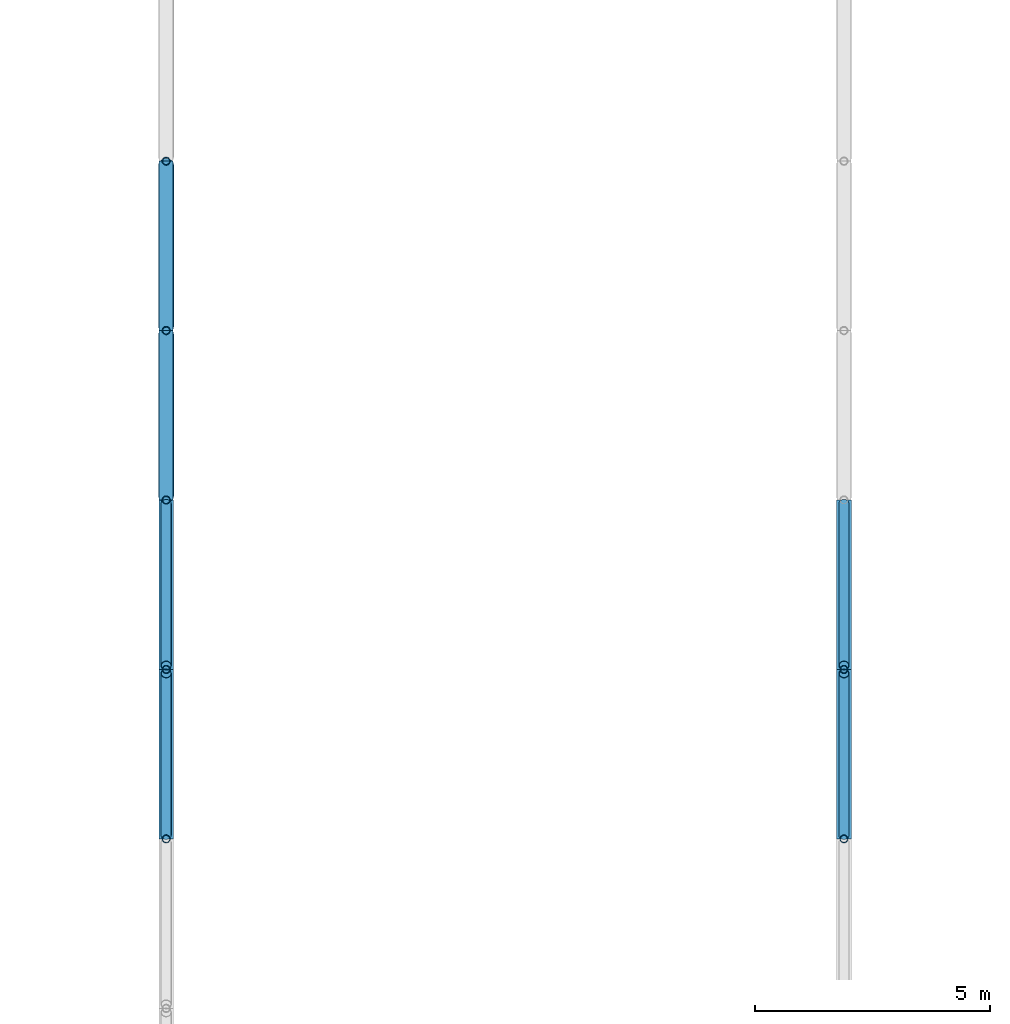
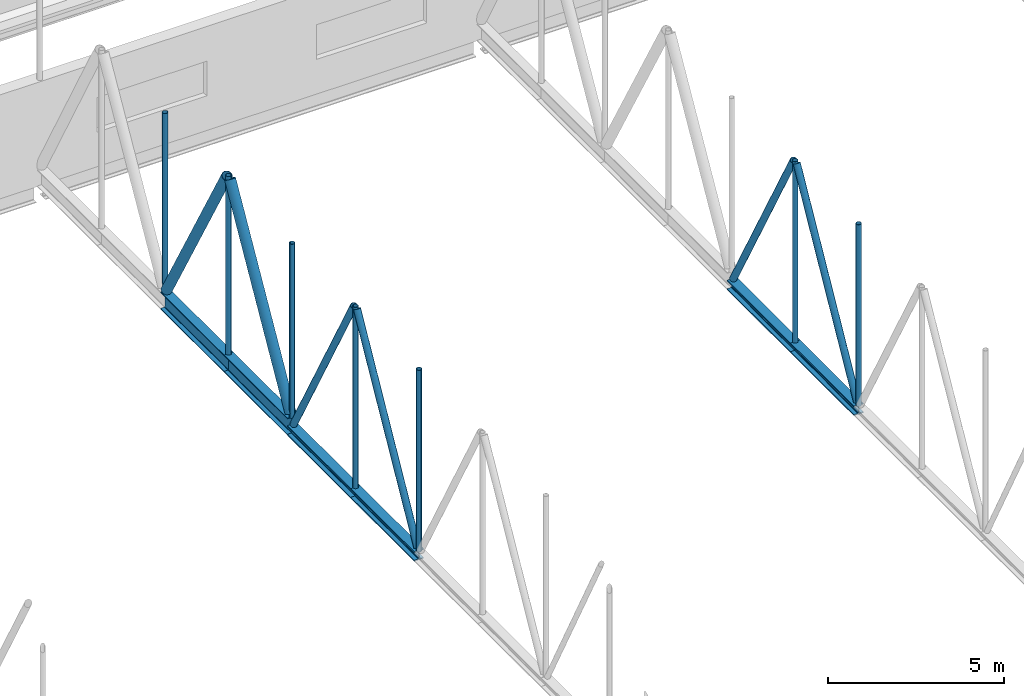
# One storey, part 65 of 142: 19 members.
"""IFC4 building model written with IfcOpenShell, lengths in metres."""

from ifc_helpers import new_model, si_unit, direction, frame, origin, origin_2d, place, context, subcontext, project, spatial, hollow_circle, i_section, extrude, material, material_profile, profile_set, type_object, element, save


model = new_model("IFC4")

# Units and contexts
model_context = context("Model", 3, precision=1e-05, world=origin(), true_north=direction((0.0, 1.0)))
body_context = subcontext(model_context, "Body", "Model", "MODEL_VIEW")
ifc_project = project(units=[si_unit("LENGTHUNIT", "METRE"), si_unit("AREAUNIT", "SQUARE_METRE"), si_unit("VOLUMEUNIT", "CUBIC_METRE"), si_unit("PLANEANGLEUNIT", "RADIAN"), si_unit("MASSUNIT", "GRAM", prefix="KILO")], contexts=[model_context])

# Site, building, storey
site_placement = place(None, origin())
site = spatial("IfcSite", under=ifc_project, at=site_placement, CompositionType="ELEMENT")
building_placement = place(site_placement, origin())
building = spatial("IfcBuilding", under=site, at=building_placement, Name="Kupolbacken Congress Centre", CompositionType="ELEMENT")
storey_placement = place(building_placement, frame((0.0, 0.0, 14.39990234375)))
storey = spatial("IfcBuildingStorey", under=building, at=storey_placement, Name="L04", CompositionType="ELEMENT", Elevation=14.39990234375)

# Members
ifc_material_1 = material(Name="Steel S355", Category="steel")
ifc_material_profile_1 = material_profile(ifc_material_1, i_section(OverallWidth=0.31005859375, OverallDepth=0.340087890625, WebThickness=0.02099609375, FlangeThickness=0.0390625, FilletRadius=0.027099609375, at=origin_2d()), Name="HEM 300")
ifc_profile_set_1 = profile_set([ifc_material_profile_1], Name="Steel S355")
member_type_1 = type_object("IfcMemberType", Name="M01 transfer truss chord HEM 300", PredefinedType="CHORD", material=ifc_profile_set_1)
member_1_placement = place(storey_placement, frame((136.800048828125, 93.60009765625, 0.16015625), z_axis=(0.0, 1.0, 0.0), x_axis=(-1.0, 0.0, 0.0)))
element("IfcMember", 1, at=member_1_placement, inside=storey, type_object=member_type_1, Name="HT/T4/BC15", PredefinedType="CHORD", context=body_context, shape_type="SweptSolid", body=[
    extrude(i_section(OverallWidth=0.31005859375, OverallDepth=0.340087890625, WebThickness=0.02099609375, FlangeThickness=0.0390625, FilletRadius=0.027099609375, at=origin_2d()), origin(), (0.0, 0.0, 1.0), 3.599853515625),
])
member_2_placement = place(storey_placement, frame((136.800048828125, 97.199951171875, 0.16015625), z_axis=(0.0, 1.0, 0.0), x_axis=(-1.0, 0.0, 0.0)))
element("IfcMember", 2, at=member_2_placement, inside=storey, type_object=member_type_1, Name="HT/T4/BC16", PredefinedType="CHORD", context=body_context, shape_type="SweptSolid", body=[
    extrude(i_section(OverallWidth=0.31005859375, OverallDepth=0.340087890625, WebThickness=0.02099609375, FlangeThickness=0.0390625, FilletRadius=0.027099609375, at=origin_2d()), origin(), (0.0, 0.0, 1.0), 3.60009765625),
])
member_3_placement = place(storey_placement, frame((151.199951171875, 93.60009765625, 0.16015625), z_axis=(0.0, 1.0, 0.0), x_axis=(-1.0, 0.0, 0.0)))
element("IfcMember", 3, at=member_3_placement, inside=storey, type_object=member_type_1, Name="HT/T5/BC15", PredefinedType="CHORD", context=body_context, shape_type="SweptSolid", body=[
    extrude(i_section(OverallWidth=0.31005859375, OverallDepth=0.340087890625, WebThickness=0.02099609375, FlangeThickness=0.0390625, FilletRadius=0.027099609375, at=origin_2d()), origin(), (0.0, 0.0, 1.0), 3.599853515625),
])
member_4_placement = place(storey_placement, frame((151.199951171875, 97.199951171875, 0.16015625), z_axis=(0.0, 1.0, 0.0), x_axis=(-1.0, 0.0, 0.0)))
element("IfcMember", 4, at=member_4_placement, inside=storey, type_object=member_type_1, Name="HT/T5/BC16", PredefinedType="CHORD", context=body_context, shape_type="SweptSolid", body=[
    extrude(i_section(OverallWidth=0.31005859375, OverallDepth=0.340087890625, WebThickness=0.02099609375, FlangeThickness=0.0390625, FilletRadius=0.027099609375, at=origin_2d()), origin(), (0.0, 0.0, 1.0), 3.60009765625),
])
ifc_material_2 = material(Name="Steel S355", Category="steel")
ifc_material_profile_2 = material_profile(ifc_material_2, i_section(OverallWidth=0.300048828125, OverallDepth=0.60009765625, WebThickness=0.015380859375, FlangeThickness=0.030029296875, FilletRadius=0.027099609375, at=origin_2d()), Name="HEB 600")
ifc_profile_set_2 = profile_set([ifc_material_profile_2], Name="Steel S355")
member_type_2 = type_object("IfcMemberType", Name="M02 transfer truss chord HEB 600", PredefinedType="CHORD", material=ifc_profile_set_2)
member_5_placement = place(storey_placement, frame((136.800048828125, 100.800048828125, 0.2900390625), z_axis=(0.0, 1.0, 0.0), x_axis=(-1.0, 0.0, 0.0)))
element("IfcMember", 5, at=member_5_placement, inside=storey, type_object=member_type_2, Name="HT/T4/BC17", PredefinedType="CHORD", context=body_context, shape_type="SweptSolid", body=[
    extrude(i_section(OverallWidth=0.300048828125, OverallDepth=0.60009765625, WebThickness=0.015380859375, FlangeThickness=0.030029296875, FilletRadius=0.027099609375, at=origin_2d()), origin(), (0.0, 0.0, 1.0), 3.599853515625),
])
member_6_placement = place(storey_placement, frame((136.800048828125, 104.39990234375, 0.2900390625), z_axis=(0.0, 1.0, 0.0), x_axis=(-1.0, 0.0, 0.0)))
element("IfcMember", 6, at=member_6_placement, inside=storey, type_object=member_type_2, Name="HT/T4/BC18", PredefinedType="CHORD", context=body_context, shape_type="SweptSolid", body=[
    extrude(i_section(OverallWidth=0.300048828125, OverallDepth=0.60009765625, WebThickness=0.015380859375, FlangeThickness=0.030029296875, FilletRadius=0.027099609375, at=origin_2d()), origin(), (0.0, 0.0, 1.0), 3.60009765625),
])
ifc_material_3 = material(Name="Steel S355", Category="steel")
ifc_material_profile_3 = material_profile(ifc_material_3, hollow_circle(Radius=0.161865234375, WallThickness=0.012451171875, at=origin_2d()), Name="CHS 323.9 x 12.5")
ifc_profile_set_3 = profile_set([ifc_material_profile_3], Name="Steel S355")
member_type_3 = type_object("IfcMemberType", Name="M04 transfer truss web CHS 323.9 x 12.5", PredefinedType="BRACE", material=ifc_profile_set_3)
member_7_placement = place(storey_placement, frame((136.800048828125, 100.884033203125, 0.658935546875), z_axis=(0.0, 0.494482554546, 0.869187553552), x_axis=(-1.0, 0.0, 0.0)))
element("IfcMember", 7, at=member_7_placement, inside=storey, type_object=member_type_3, Name="HT/T4/D17", PredefinedType="BRACE", context=body_context, shape_type="SweptSolid", body=[
    extrude(hollow_circle(Radius=0.161865234375, WallThickness=0.012451171875, at=origin_2d()), origin(), (0.0, 0.0, 1.0), 6.9404296875),
])
member_8_placement = place(storey_placement, frame((136.800048828125, 104.484130859375, 6.69140625), z_axis=(0.0, 0.494455978115, -0.869202672399), x_axis=(-1.0, 0.0, 0.0)))
element("IfcMember", 8, at=member_8_placement, inside=storey, type_object=member_type_3, Name="HT/T4/D18", PredefinedType="BRACE", context=body_context, shape_type="SweptSolid", body=[
    extrude(hollow_circle(Radius=0.161865234375, WallThickness=0.012451171875, at=origin_2d()), origin(), (0.0, 0.0, 1.0), 6.940185546875),
])
ifc_material_4 = material(Name="Steel S355", Category="steel")
ifc_material_profile_4 = material_profile(ifc_material_4, hollow_circle(Radius=0.109619140625, WallThickness=0.010009765625, at=origin_2d()), Name="CHS 219.1 x 10")
ifc_profile_set_4 = profile_set([ifc_material_profile_4], Name="Steel S355")
member_type_4 = type_object("IfcMemberType", Name="M05 transfer truss web CHS 219.1 x 10", PredefinedType="BRACE", material=ifc_profile_set_4)
member_9_placement = place(storey_placement, frame((136.800048828125, 93.68408203125, 0.372802734375), z_axis=(0.0, 0.485197410842, 0.87440463889), x_axis=(-1.0, 0.0, 0.0)))
element("IfcMember", 9, at=member_9_placement, inside=storey, type_object=member_type_4, Name="HT/T4/D15", PredefinedType="BRACE", context=body_context, shape_type="SweptSolid", body=[
    extrude(hollow_circle(Radius=0.109619140625, WallThickness=0.010009765625, at=origin_2d()), origin(), (0.0, 0.0, 1.0), 7.0732421875),
])
member_10_placement = place(storey_placement, frame((136.800048828125, 97.2841796875, 6.5576171875), z_axis=(0.0, 0.48517101949, -0.874419282637), x_axis=(-1.0, 0.0, 0.0)))
element("IfcMember", 10, at=member_10_placement, inside=storey, type_object=member_type_4, Name="HT/T4/D16", PredefinedType="BRACE", context=body_context, shape_type="SweptSolid", body=[
    extrude(hollow_circle(Radius=0.109619140625, WallThickness=0.010009765625, at=origin_2d()), origin(), (0.0, 0.0, 1.0), 7.072998046875),
])
member_11_placement = place(storey_placement, frame((151.199951171875, 93.68408203125, 0.372802734375), z_axis=(0.0, 0.485197410842, 0.87440463889), x_axis=(-1.0, 0.0, 0.0)))
element("IfcMember", 11, at=member_11_placement, inside=storey, type_object=member_type_4, Name="HT/T5/D15", PredefinedType="BRACE", context=body_context, shape_type="SweptSolid", body=[
    extrude(hollow_circle(Radius=0.109619140625, WallThickness=0.010009765625, at=origin_2d()), origin(), (0.0, 0.0, 1.0), 7.0732421875),
])
member_12_placement = place(storey_placement, frame((151.199951171875, 97.2841796875, 6.5576171875), z_axis=(0.0, 0.48517101949, -0.874419282637), x_axis=(-1.0, 0.0, 0.0)))
element("IfcMember", 12, at=member_12_placement, inside=storey, type_object=member_type_4, Name="HT/T5/D16", PredefinedType="BRACE", context=body_context, shape_type="SweptSolid", body=[
    extrude(hollow_circle(Radius=0.109619140625, WallThickness=0.010009765625, at=origin_2d()), origin(), (0.0, 0.0, 1.0), 7.072998046875),
])
ifc_material_5 = material(Name="Steel S355", Category="steel")
ifc_material_profile_5 = material_profile(ifc_material_5, hollow_circle(Radius=0.084228515625, WallThickness=0.008056640625, at=origin_2d()), Name="CHS 168.3 x 8")
ifc_profile_set_5 = profile_set([ifc_material_profile_5], Name="Steel S355")
member_type_5 = type_object("IfcMemberType", Name="M20 transfer truss post CHS 168.3 x 8", PredefinedType="STRUT", material=ifc_profile_set_5)
for number, where, z_axis, x_axis, name in (
    (13, (136.800048828125, 93.60009765625, 0.320068359375), (0.0, 0.0, 1.0), (0.0, 1.0, 0.0), "HT/T4/P14"),
    (14, (136.800048828125, 97.199951171875, 0.320068359375), (0.0, 0.0, 1.0), (0.0, 1.0, 0.0), "HT/T4/P15"),
):
    element("IfcMember", number, at=place(storey_placement, frame(where, z_axis=z_axis, x_axis=x_axis)), inside=storey, type_object=member_type_5, Name=name, PredefinedType="STRUT", context=body_context, shape_type="SweptSolid", body=[
        extrude(hollow_circle(Radius=0.084228515625, WallThickness=0.008056640625, at=origin_2d()), origin(), (0.0, 0.0, 1.0), 6.2900390625),
    ])
member_13_placement = place(storey_placement, frame((136.800048828125, 100.800048828125, 0.580078125), z_axis=(0.0, 0.0, 1.0), x_axis=(0.0, 1.0, 0.0)))
element("IfcMember", 15, at=member_13_placement, inside=storey, type_object=member_type_5, Name="HT/T4/P16", PredefinedType="STRUT", context=body_context, shape_type="SweptSolid", body=[
    extrude(hollow_circle(Radius=0.084228515625, WallThickness=0.008056640625, at=origin_2d()), origin(), (0.0, 0.0, 1.0), 6.030029296875),
])
for number, where, z_axis, x_axis, name in (
    (16, (136.800048828125, 104.39990234375, 0.580078125), (0.0, 0.0, 1.0), (0.0, 1.0, 0.0), "HT/T4/P17"),
    (17, (136.800048828125, 108.0, 0.580078125), (0.0, 0.0, 1.0), (0.0, 1.0, 0.0), "HT/T4/P18"),
):
    element("IfcMember", number, at=place(storey_placement, frame(where, z_axis=z_axis, x_axis=x_axis)), inside=storey, type_object=member_type_5, Name=name, PredefinedType="STRUT", context=body_context, shape_type="SweptSolid", body=[
        extrude(hollow_circle(Radius=0.084228515625, WallThickness=0.008056640625, at=origin_2d()), origin(), (0.0, 0.0, 1.0), 6.18994140625),
    ])
for number, where, z_axis, x_axis, name in (
    (18, (151.199951171875, 93.60009765625, 0.320068359375), (0.0, 0.0, 1.0), (0.0, 1.0, 0.0), "HT/T5/P14"),
    (19, (151.199951171875, 97.199951171875, 0.320068359375), (0.0, 0.0, 1.0), (0.0, 1.0, 0.0), "HT/T5/P15"),
):
    element("IfcMember", number, at=place(storey_placement, frame(where, z_axis=z_axis, x_axis=x_axis)), inside=storey, type_object=member_type_5, Name=name, PredefinedType="STRUT", context=body_context, shape_type="SweptSolid", body=[
        extrude(hollow_circle(Radius=0.084228515625, WallThickness=0.008056640625, at=origin_2d()), origin(), (0.0, 0.0, 1.0), 6.2900390625),
    ])

save(model, "model.ifc")
